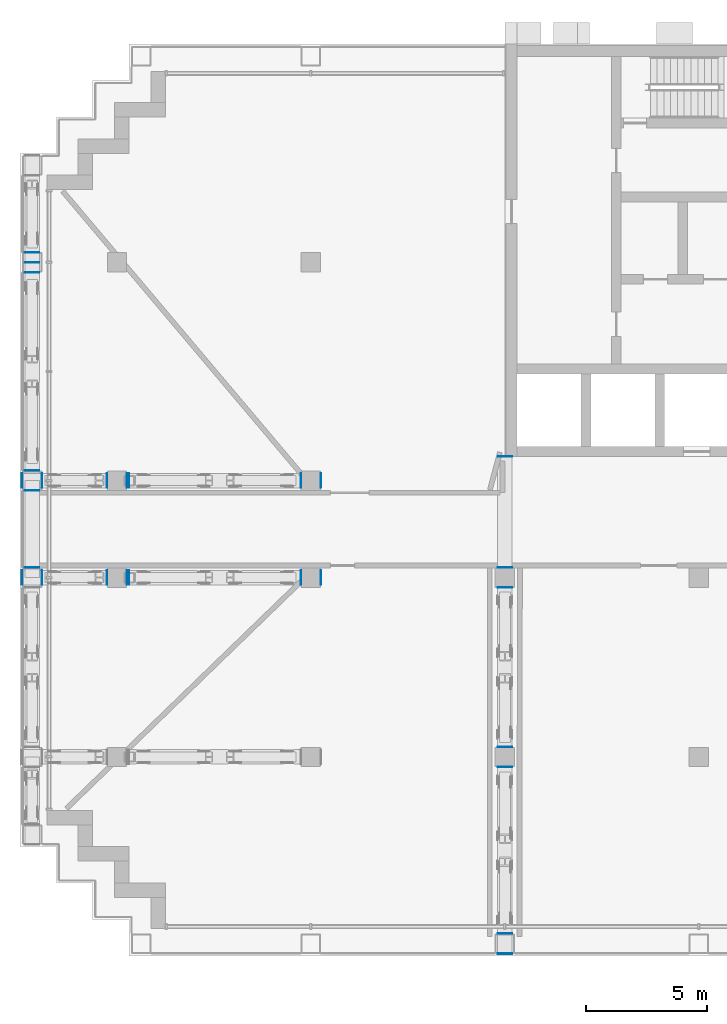
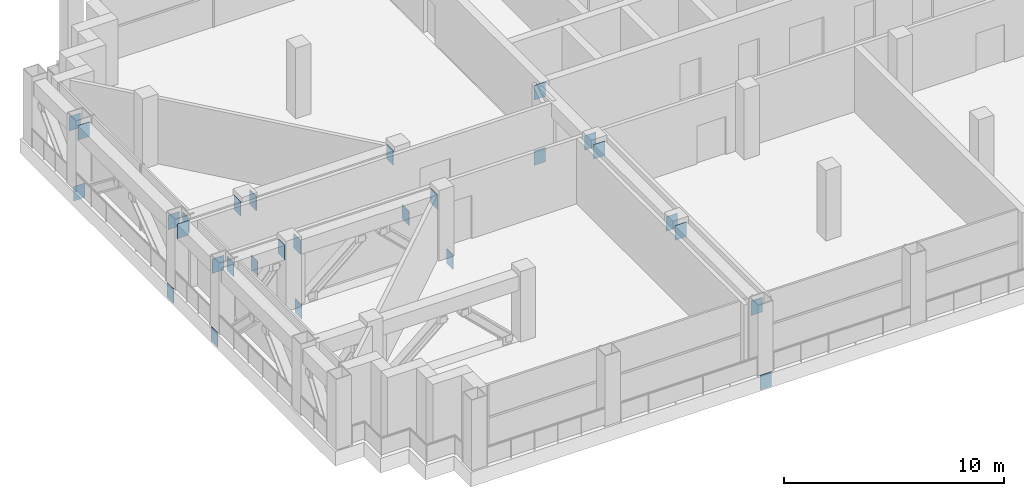
# One storey, part 12 of 25: 28 discrete accessories.
"""IFC4 building model written with IfcOpenShell, lengths in metres."""

from ifc_helpers import new_model, si_unit, direction, frame, origin, origin_2d, place, context, subcontext, project, spatial, rectangle, extrude, element, save


model = new_model("IFC4")

# Units and contexts
model_context = context("Model", 3, precision=1e-05, world=origin(), true_north=direction((0.0, 1.0)))
body_context = subcontext(model_context, "Body", "Model", "MODEL_VIEW")
ifc_project = project(units=[si_unit("LENGTHUNIT", "METRE"), si_unit("AREAUNIT", "SQUARE_METRE"), si_unit("VOLUMEUNIT", "CUBIC_METRE"), si_unit("PLANEANGLEUNIT", "RADIAN"), si_unit("MASSUNIT", "GRAM", prefix="KILO")], contexts=[model_context])

# Site, building, storey
site_placement = place(None, origin())
site = spatial("IfcSite", under=ifc_project, at=site_placement, CompositionType="ELEMENT")
building_placement = place(site_placement, origin())
building = spatial("IfcBuilding", under=site, at=building_placement, Name="Vidyagriha Tower", CompositionType="ELEMENT")
storey_placement = place(building_placement, frame((0.0, 0.0, 115.89990234375)))
storey = spatial("IfcBuildingStorey", under=building, at=storey_placement, Name="L29", CompositionType="ELEMENT", Elevation=115.89990234375)

# Discrete accessories
discrete_accessory_1_placement = place(storey_placement, frame((-33.9150390625, -2.0, -0.7998046875), z_axis=(0.0, 0.0, 1.0), x_axis=(-1.0, 0.0, 0.0)))
element("IfcDiscreteAccessory", 1, at=discrete_accessory_1_placement, inside=storey, Name="Chord end plate", ObjectType="END PLATE", PredefinedType="USERDEFINED", context=body_context, shape_type="SweptSolid", body=[
    extrude(rectangle(XDim=0.030029296875, YDim=0.60009765625, at=origin_2d()), origin(), (0.0, 0.0, 1.0), 0.800048828125),
])
discrete_accessory_2_placement = place(storey_placement, frame((-21.5849609375, -2.0, -0.7998046875)))
element("IfcDiscreteAccessory", 2, at=discrete_accessory_2_placement, inside=storey, Name="Chord end plate", ObjectType="END PLATE", PredefinedType="USERDEFINED", context=body_context, shape_type="SweptSolid", body=[
    extrude(rectangle(XDim=0.030029296875, YDim=0.60009765625, at=origin_2d()), origin(), (0.0, 0.0, 1.0), 0.800048828125),
])
for number, where, z_axis, x_axis, name in (
    (3, (-29.580078125, -2.0, 2.8203125), (0.0, 0.0, 1.0), (-1.0, 0.0, 0.0), "Chord end plate"),
    (4, (-33.9150390625, 2.0, -0.7998046875), (0.0, 0.0, 1.0), (-1.0, 0.0, 0.0), "Chord end plate"),
):
    element("IfcDiscreteAccessory", number, at=place(storey_placement, frame(where, z_axis=z_axis, x_axis=x_axis)), inside=storey, Name=name, ObjectType="END PLATE", PredefinedType="USERDEFINED", context=body_context, shape_type="SweptSolid", body=[
        extrude(rectangle(XDim=0.030029296875, YDim=0.60009765625, at=origin_2d()), origin(), (0.0, 0.0, 1.0), 0.800048828125),
    ])
discrete_accessory_3_placement = place(storey_placement, frame((-21.5849609375, 2.0, -0.7998046875)))
element("IfcDiscreteAccessory", 5, at=discrete_accessory_3_placement, inside=storey, Name="Chord end plate", ObjectType="END PLATE", PredefinedType="USERDEFINED", context=body_context, shape_type="SweptSolid", body=[
    extrude(rectangle(XDim=0.030029296875, YDim=0.60009765625, at=origin_2d()), origin(), (0.0, 0.0, 1.0), 0.800048828125),
])
for number, where, z_axis, x_axis, name in (
    (6, (-29.580078125, 2.0, 2.8203125), (0.0, 0.0, 1.0), (-1.0, 0.0, 0.0), "Chord end plate"),
    (7, (-14.0, -17.514892578125, -0.7998046875), (0.0, 0.0, 1.0), (0.0, -1.0, 0.0), "Chord end plate"),
):
    element("IfcDiscreteAccessory", number, at=place(storey_placement, frame(where, z_axis=z_axis, x_axis=x_axis)), inside=storey, Name=name, ObjectType="END PLATE", PredefinedType="USERDEFINED", context=body_context, shape_type="SweptSolid", body=[
        extrude(rectangle(XDim=0.030029296875, YDim=0.60009765625, at=origin_2d()), origin(), (0.0, 0.0, 1.0), 0.800048828125),
    ])
discrete_accessory_4_placement = place(storey_placement, frame((-29.509765625, -2.0, -0.7998046875)))
element("IfcDiscreteAccessory", 8, at=discrete_accessory_4_placement, inside=storey, Name="End plate ASTM A572 Grade 50 20mm", ObjectType="END PLATE", PredefinedType="USERDEFINED", context=body_context, shape_type="SweptSolid", body=[
    extrude(rectangle(XDim=0.02001953125, YDim=0.60009765625, at=origin_2d()), origin(), (0.0, 0.0, 1.0), 0.800048828125),
])
discrete_accessory_5_placement = place(storey_placement, frame((-33.090087890625, -2.0, 2.8203125), z_axis=(0.0, 0.0, 1.0), x_axis=(-1.0, 0.0, 0.0)))
element("IfcDiscreteAccessory", 9, at=discrete_accessory_5_placement, inside=storey, Name="End plate ASTM A572 Grade 50 20mm", ObjectType="END PLATE", PredefinedType="USERDEFINED", context=body_context, shape_type="SweptSolid", body=[
    extrude(rectangle(XDim=0.02001953125, YDim=0.60009765625, at=origin_2d()), origin(), (0.0, 0.0, 1.0), 0.800048828125),
])
for number, where, name in (
    (10, (-30.40966796875, -2.0, 2.8203125), "End plate ASTM A572 Grade 50 20mm"),
    (11, (-22.40966796875, -2.0, 2.8203125), "End plate ASTM A572 Grade 50 20mm"),
    (12, (-29.509765625, 2.0, -0.7998046875), "End plate ASTM A572 Grade 50 20mm"),
):
    element("IfcDiscreteAccessory", number, at=place(storey_placement, frame(where)), inside=storey, Name=name, ObjectType="END PLATE", PredefinedType="USERDEFINED", context=body_context, shape_type="SweptSolid", body=[
        extrude(rectangle(XDim=0.02001953125, YDim=0.60009765625, at=origin_2d()), origin(), (0.0, 0.0, 1.0), 0.800048828125),
    ])
discrete_accessory_6_placement = place(storey_placement, frame((-33.090087890625, 2.0, 2.8203125), z_axis=(0.0, 0.0, 1.0), x_axis=(-1.0, 0.0, 0.0)))
element("IfcDiscreteAccessory", 13, at=discrete_accessory_6_placement, inside=storey, Name="End plate ASTM A572 Grade 50 20mm", ObjectType="END PLATE", PredefinedType="USERDEFINED", context=body_context, shape_type="SweptSolid", body=[
    extrude(rectangle(XDim=0.02001953125, YDim=0.60009765625, at=origin_2d()), origin(), (0.0, 0.0, 1.0), 0.800048828125),
])
for number, where, name in (
    (14, (-30.40966796875, 2.0, 2.8203125), "End plate ASTM A572 Grade 50 20mm"),
    (15, (-22.40966796875, 2.0, 2.8203125), "End plate ASTM A572 Grade 50 20mm"),
):
    element("IfcDiscreteAccessory", number, at=place(storey_placement, frame(where)), inside=storey, Name=name, ObjectType="END PLATE", PredefinedType="USERDEFINED", context=body_context, shape_type="SweptSolid", body=[
        extrude(rectangle(XDim=0.02001953125, YDim=0.60009765625, at=origin_2d()), origin(), (0.0, 0.0, 1.0), 0.800048828125),
    ])
for number, where, z_axis, x_axis, name in (
    (16, (-33.5, -1.590087890625, 2.8203125), (0.0, 0.0, 1.0), (0.0, -1.0, 0.0), "End plate ASTM A572 Grade 50 20mm"),
    (17, (-33.5, 1.590087890625, 2.8203125), (0.0, 0.0, 1.0), (0.0, 1.0, 0.0), "End plate ASTM A572 Grade 50 20mm"),
    (18, (-33.5, 10.990234375, -0.7998046875), (0.0, 0.0, 1.0), (0.0, 1.0, 0.0), "End plate ASTM A572 Grade 50 20mm"),
    (19, (-33.5, 2.40966796875, 2.8203125), (0.0, 0.0, 1.0), (0.0, -1.0, 0.0), "End plate ASTM A572 Grade 50 20mm"),
    (20, (-33.5, 10.590087890625, 2.8203125), (0.0, 0.0, 1.0), (0.0, 1.0, 0.0), "End plate ASTM A572 Grade 50 20mm"),
    (21, (-33.5, 11.409912109375, 2.8203125), (0.0, 0.0, 1.0), (0.0, -1.0, 0.0), "End plate ASTM A572 Grade 50 20mm"),
    (22, (-14.0, -16.690185546875, 2.8203125), (0.0, 0.0, 1.0), (0.0, -1.0, 0.0), "End plate ASTM A572 Grade 50 20mm"),
    (23, (-14.0, -9.809814453125, 2.8203125), (0.0, 0.0, 1.0), (0.0, 1.0, 0.0), "End plate ASTM A572 Grade 50 20mm"),
    (24, (-14.0, -8.990234375, 2.8203125), (0.0, 0.0, 1.0), (0.0, -1.0, 0.0), "End plate ASTM A572 Grade 50 20mm"),
    (25, (-14.0, -2.40966796875, 2.8203125), (0.0, 0.0, 1.0), (0.0, 1.0, 0.0), "End plate ASTM A572 Grade 50 20mm"),
    (26, (-14.0, 2.990234375, -0.7998046875), (0.0, 0.0, 1.0), (0.0, 1.0, 0.0), "End plate ASTM A572 Grade 50 20mm"),
    (27, (-14.0, -1.590087890625, 2.8203125), (0.0, 0.0, 1.0), (0.0, -1.0, 0.0), "End plate ASTM A572 Grade 50 20mm"),
    (28, (-14.0, 2.990234375, 2.8203125), (0.0, 0.0, 1.0), (0.0, 1.0, 0.0), "End plate ASTM A572 Grade 50 20mm"),
):
    element("IfcDiscreteAccessory", number, at=place(storey_placement, frame(where, z_axis=z_axis, x_axis=x_axis)), inside=storey, Name=name, ObjectType="END PLATE", PredefinedType="USERDEFINED", context=body_context, shape_type="SweptSolid", body=[
        extrude(rectangle(XDim=0.02001953125, YDim=0.60009765625, at=origin_2d()), origin(), (0.0, 0.0, 1.0), 0.800048828125),
    ])

save(model, "model.ifc")
